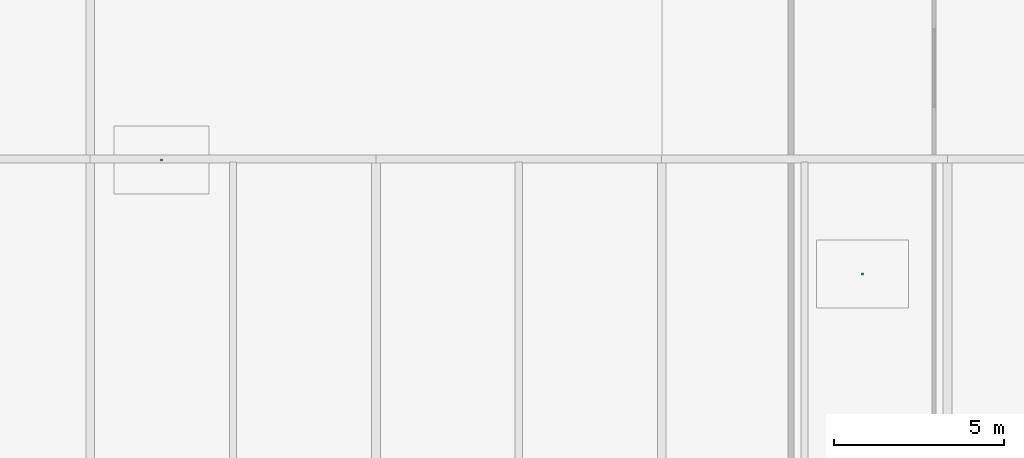
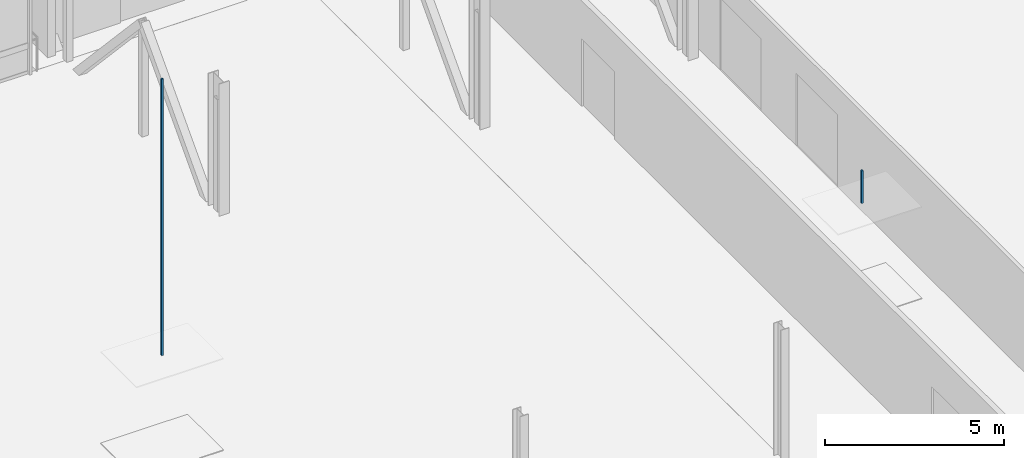
# One storey, part 121 of 139: 2 discrete accessories.
"""IFC4 building model written with IfcOpenShell, lengths in metres."""

from ifc_helpers import new_model, si_unit, derived_unit, direction, frame, origin, origin_2d, place, context, subcontext, project, spatial, rectangle, extrude, material, layer, layer_set, type_object, element, save


model = new_model("IFC4")

# Units and contexts
model_context = context("Model", 3, precision=1e-05, world=origin(), true_north=direction((0.0, 1.0)))
body_context = subcontext(model_context, "Body", "Model", "MODEL_VIEW")
ifc_project = project(units=[si_unit("LENGTHUNIT", "METRE"), si_unit("AREAUNIT", "SQUARE_METRE"), si_unit("VOLUMEUNIT", "CUBIC_METRE"), si_unit("PLANEANGLEUNIT", "RADIAN"), si_unit("MASSUNIT", "GRAM", prefix="KILO"), derived_unit("THERMALTRANSMITTANCEUNIT", [(si_unit("MASSUNIT", "GRAM", prefix="KILO"), 1), (si_unit("TIMEUNIT", "SECOND"), -3), (si_unit("THERMODYNAMICTEMPERATUREUNIT", "KELVIN"), -1)])], contexts=[model_context])

# Site, building, storey
site_placement = place(None, origin())
site = spatial("IfcSite", under=ifc_project, at=site_placement, CompositionType="ELEMENT")
building_placement = place(site_placement, origin())
building = spatial("IfcBuilding", under=site, at=building_placement, Name="Makaiwela Harbour Ferry Terminal", CompositionType="ELEMENT")
storey_placement = place(building_placement, frame((0.0, 0.0, 5.10009765625)))
storey = spatial("IfcBuildingStorey", under=building, at=storey_placement, Name="L01", CompositionType="ELEMENT", Elevation=5.10009765625)

# Discrete accessories
ifc_material = material(Name="Marine grade 316L brushed stainless steel", Category="steel")
ifc_layer = layer(ifc_material, 1.0)
ifc_layer_set = layer_set([ifc_layer], Name="Marine grade 316L brushed stainless steel")
discrete_accessory_type = type_object("IfcDiscreteAccessoryType", Name="INT-ACC-HNG", PredefinedType="BRACKET", material=ifc_layer_set)
discrete_accessory_1_placement = place(storey_placement, frame((102.5, 82.425048828125, 3.134765625), z_axis=(0.0, 0.0, 1.0), x_axis=(1.0, 0.0, 0.0)))
element("IfcDiscreteAccessory", 1, at=discrete_accessory_1_placement, inside=storey, type_object=discrete_accessory_type, Name="Ceiling Suspension Bracket HNG-037", PredefinedType="BRACKET", context=body_context, shape_type="SweptSolid", body=[
    extrude(rectangle(XDim=0.06005859375, YDim=0.06005859375, at=origin_2d()), origin(), (0.0, 0.0, 1.0), 1.110107421875),
])
discrete_accessory_2_placement = place(storey_placement, frame((81.89990234375, 85.77490234375, 3.134765625), z_axis=(0.0, 0.0, 1.0), x_axis=(1.0, 0.0, 0.0)))
element("IfcDiscreteAccessory", 2, at=discrete_accessory_2_placement, inside=storey, type_object=discrete_accessory_type, Name="Ceiling Suspension Bracket HNG-038", PredefinedType="BRACKET", context=body_context, shape_type="SweptSolid", body=[
    extrude(rectangle(XDim=0.06005859375, YDim=0.06005859375, at=origin_2d()), origin(), (0.0, 0.0, 1.0), 9.409912109375),
])

save(model, "model.ifc")
